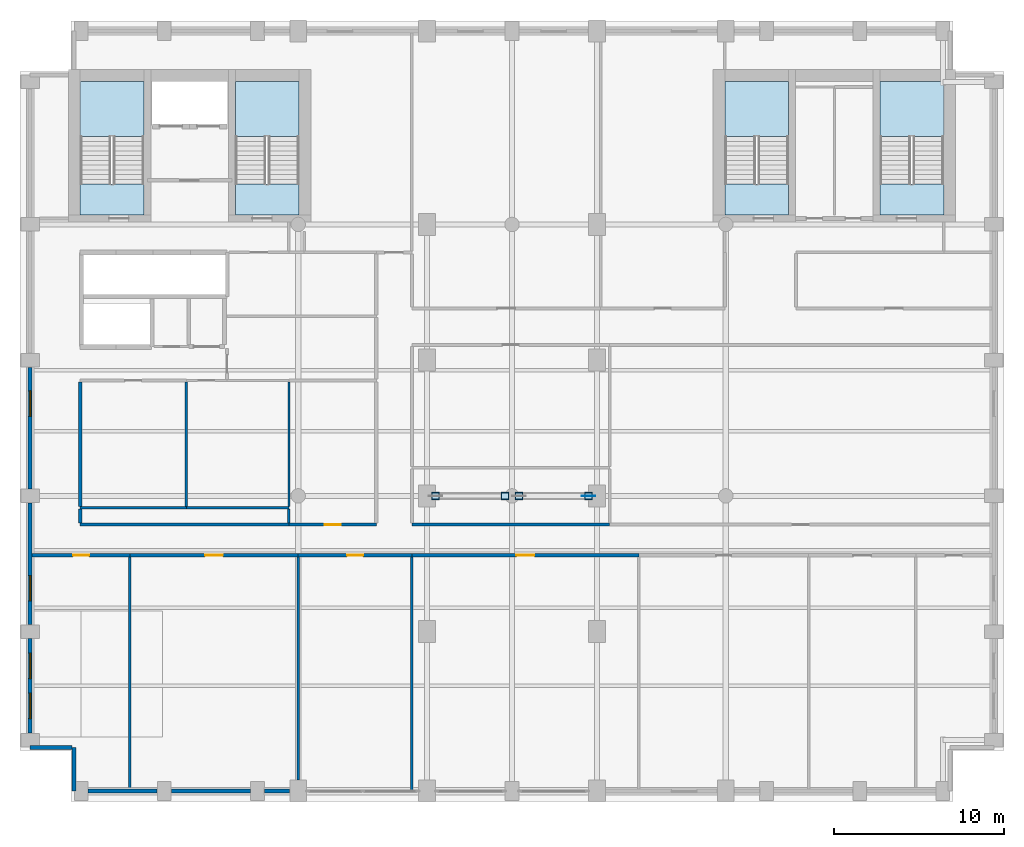
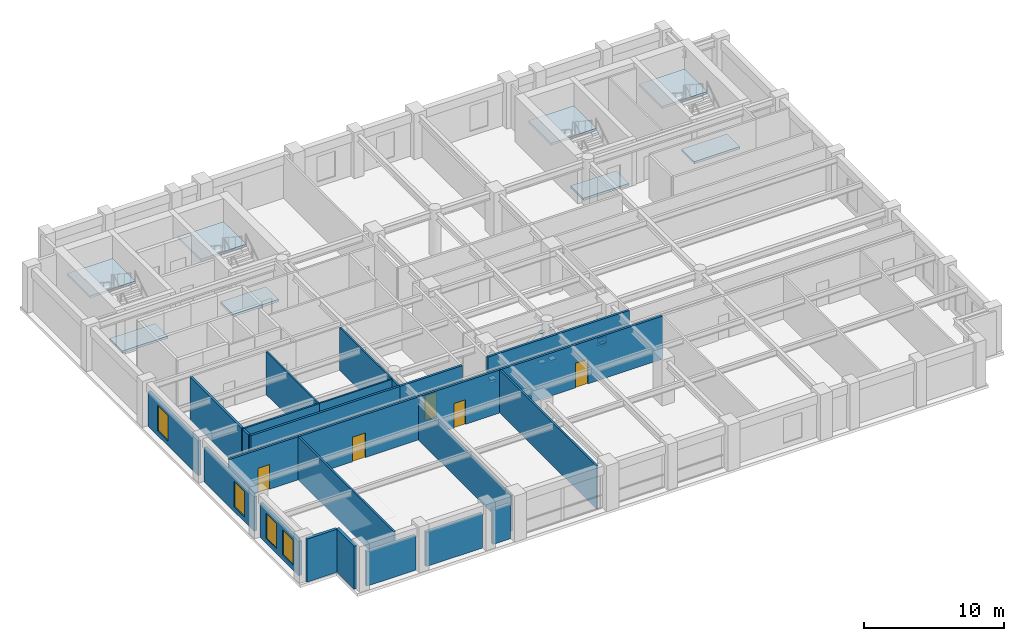
# One storey, part 6 of 13: 25 walls, 9 plates, 8 slabs, 5 doors, 4 windows, 9 openings, 4 elements without a shape of their own.
"""IFC4 building model written with IfcOpenShell, lengths in metres."""

from ifc_helpers import new_model, si_unit, direction, frame, frame_2d, origin, origin_2d, place, context, subcontext, project, spatial, polyline, rectangle, outline, extrude, material, layer, layer_set, type_object, element, fill, aggregate, save


model = new_model("IFC4")

# Units and contexts
model_context = context("Model", 3, precision=1e-05, world=origin(), true_north=direction((0.0, 1.0)))
body_context = subcontext(model_context, "Body", "Model", "MODEL_VIEW")
ifc_project = project(units=[si_unit("LENGTHUNIT", "METRE"), si_unit("AREAUNIT", "SQUARE_METRE"), si_unit("VOLUMEUNIT", "CUBIC_METRE"), si_unit("PLANEANGLEUNIT", "RADIAN"), si_unit("MASSUNIT", "GRAM", prefix="KILO")], contexts=[model_context])

# Site, building, storey
site_placement = place(None, origin())
site = spatial("IfcSite", under=ifc_project, at=site_placement, CompositionType="ELEMENT")
building_placement = place(site_placement, origin())
building = spatial("IfcBuilding", under=site, at=building_placement, Name="Sulina Concourse Tower", CompositionType="ELEMENT")
storey_placement = place(building_placement, frame((0.0, 0.0, 202.60009765625)))
storey = spatial("IfcBuildingStorey", under=building, at=storey_placement, Name="L49", CompositionType="ELEMENT", Elevation=202.60009765625)

# Plates
ifc_material_1 = material(Name="Steel S355", Category="steel")
ifc_layer_1 = layer(ifc_material_1, 0.028076171875)
ifc_layer_set_1 = layer_set([ifc_layer_1], Name="Steel S355")
plate_type_1 = type_object("IfcPlateType", Name="Medium Hollow Section End-Cap Plate 28mm", PredefinedType="USERDEFINED", material=ifc_layer_set_1)
for number, where, z_axis, x_axis, name in (
    (1, (24.489990234375, 18.0, 0.35595703125), (0.0, 0.0, 1.0), (1.0, 0.0, 0.0), "UBT-CH-1-L49 end cap plate 1"),
    (2, (28.5849609375, 18.0, 0.35595703125), (0.0, 0.0, 1.0), (1.0, 0.0, 0.0), "UBT-CH-1-L49 end cap plate 2"),
    (3, (29.4150390625, 18.0, 0.35595703125), (0.0, 0.0, 1.0), (1.0, 0.0, 0.0), "UBT-CH-2-L49 end cap plate 1"),
    (4, (33.510009765625, 18.0, 0.35595703125), (0.0, 0.0, 1.0), (1.0, 0.0, 0.0), "UBT-CH-2-L49 end cap plate 2"),
):
    element("IfcPlate", number, at=place(storey_placement, frame(where, z_axis=z_axis, x_axis=x_axis)), inside=storey, type_object=plate_type_1, Name=name, ObjectType="CAP_PLATE", PredefinedType="USERDEFINED", context=body_context, shape_type="SweptSolid", body=[
        extrude(rectangle(XDim=0.4599609375, YDim=0.4599609375, at=origin_2d()), origin(), (0.0, 0.0, 1.0), 0.028076171875),
    ])

# Slabs
ifc_material_2 = material(Name="Concrete C50/60", Category="concrete")
ifc_layer_2 = layer(ifc_material_2, 0.199951171875)
ifc_layer_set_2 = layer_set([ifc_layer_2], Name="Concrete C50/60")
slab_type = type_object("IfcSlabType", Name="Primary Core Stair Landing Slab 200mm", PredefinedType="LANDING", material=ifc_layer_set_2)
slab_1_placement = place(storey_placement, frame((0.0, 0.0, -0.2001953125)))
element("IfcSlab", 5, at=slab_1_placement, inside=storey, type_object=slab_type, Name="L49 ST-1 floor landing slab", PredefinedType="LANDING", context=body_context, shape_type="SweptSolid", body=[
    extrude(outline(polyline([(7.31005859375, 34.550048828125), (7.31005859375, 36.375), (3.550048828125, 36.375), (3.550048828125, 34.550048828125), (7.31005859375, 34.550048828125)])), origin(), (0.0, 0.0, 1.0), 0.2001953125),
])
slab_2_placement = place(storey_placement, frame((0.0, 0.0, -0.2001953125)))
element("IfcSlab", 6, at=slab_2_placement, inside=storey, type_object=slab_type, Name="L49 ST-2 floor landing slab", PredefinedType="LANDING", context=body_context, shape_type="SweptSolid", body=[
    extrude(outline(polyline([(16.449951171875, 34.550048828125), (16.449951171875, 36.375), (12.68994140625, 36.375), (12.68994140625, 34.550048828125), (16.449951171875, 34.550048828125)])), origin(), (0.0, 0.0, 1.0), 0.2001953125),
])
slab_3_placement = place(storey_placement, frame((0.0, 0.0, -0.2001953125)))
element("IfcSlab", 7, at=slab_3_placement, inside=storey, type_object=slab_type, Name="L49 ST-3 floor landing slab", PredefinedType="LANDING", context=body_context, shape_type="SweptSolid", body=[
    extrude(outline(polyline([(45.31005859375, 34.550048828125), (45.31005859375, 36.375), (41.550048828125, 36.375), (41.550048828125, 34.550048828125), (45.31005859375, 34.550048828125)])), origin(), (0.0, 0.0, 1.0), 0.2001953125),
])
slab_4_placement = place(storey_placement, frame((0.0, 0.0, -0.2001953125)))
element("IfcSlab", 8, at=slab_4_placement, inside=storey, type_object=slab_type, Name="L49 ST-4 floor landing slab", PredefinedType="LANDING", context=body_context, shape_type="SweptSolid", body=[
    extrude(outline(polyline([(54.449951171875, 34.550048828125), (54.449951171875, 36.375), (50.68994140625, 36.375), (50.68994140625, 34.550048828125), (54.449951171875, 34.550048828125)])), origin(), (0.0, 0.0, 1.0), 0.2001953125),
])

# Stair, slab
ifc_material_3 = material(Name="Concrete C50/60", Category="concrete")
stair_type_1 = type_object("IfcStairType", Name="Primary Core Dog-Leg Exit Stair 1800mm", PredefinedType="HALF_TURN_STAIR", material=ifc_material_3)
stair_1_placement = place(storey_placement, origin())
stair_1 = element("IfcStair", 9, at=stair_1_placement, inside=storey, type_object=stair_type_1, Name="L49 ST-1", PredefinedType="HALF_TURN_STAIR")
slab_5_placement = place(storey_placement, frame((0.0, 0.0, 1.7998046875)))
slab_5 = element("IfcSlab", 10, at=slab_5_placement, type_object=slab_type, Name="ST-1 landing 1", PredefinedType="LANDING", context=body_context, shape_type="SweptSolid", body=[
    extrude(outline(polyline([(7.304931640625, 39.175048828125), (7.304931640625, 42.425048828125), (3.554931640625, 42.425048828125), (3.554931640625, 39.175048828125), (7.304931640625, 39.175048828125)])), origin(), (0.0, 0.0, 1.0), 0.2001953125),
])
aggregate(stair_1, [slab_5])

stair_2_placement = place(storey_placement, origin())
stair_2 = element("IfcStair", 11, at=stair_2_placement, inside=storey, type_object=stair_type_1, Name="L49 ST-2", PredefinedType="HALF_TURN_STAIR")
slab_6_placement = place(storey_placement, frame((0.0, 0.0, 1.7998046875)))
slab_6 = element("IfcSlab", 12, at=slab_6_placement, type_object=slab_type, Name="ST-2 landing 1", PredefinedType="LANDING", context=body_context, shape_type="SweptSolid", body=[
    extrude(outline(polyline([(16.445068359375, 39.175048828125), (16.445068359375, 42.425048828125), (12.695068359375, 42.425048828125), (12.695068359375, 39.175048828125), (16.445068359375, 39.175048828125)])), origin(), (0.0, 0.0, 1.0), 0.2001953125),
])
aggregate(stair_2, [slab_6])

ifc_material_4 = material(Name="Concrete C50/60", Category="concrete")
stair_type_2 = type_object("IfcStairType", Name="Portal & Podium Core Exit Stair 1820mm", PredefinedType="HALF_TURN_STAIR", material=ifc_material_4)
stair_3_placement = place(storey_placement, origin())
stair_3 = element("IfcStair", 13, at=stair_3_placement, inside=storey, type_object=stair_type_2, Name="L49 ST-3", PredefinedType="HALF_TURN_STAIR")
slab_7_placement = place(storey_placement, frame((0.0, 0.0, 1.7998046875)))
slab_7 = element("IfcSlab", 14, at=slab_7_placement, type_object=slab_type, Name="ST-3 landing 1", PredefinedType="LANDING", context=body_context, shape_type="SweptSolid", body=[
    extrude(outline(polyline([(45.304931640625, 39.175048828125), (45.304931640625, 42.425048828125), (41.554931640625, 42.425048828125), (41.554931640625, 39.175048828125), (45.304931640625, 39.175048828125)])), origin(), (0.0, 0.0, 1.0), 0.2001953125),
])
aggregate(stair_3, [slab_7])

stair_4_placement = place(storey_placement, origin())
stair_4 = element("IfcStair", 15, at=stair_4_placement, inside=storey, type_object=stair_type_2, Name="L49 ST-4", PredefinedType="HALF_TURN_STAIR")
slab_8_placement = place(storey_placement, frame((0.0, 0.0, 1.7998046875)))
slab_8 = element("IfcSlab", 16, at=slab_8_placement, type_object=slab_type, Name="ST-4 landing 1", PredefinedType="LANDING", context=body_context, shape_type="SweptSolid", body=[
    extrude(outline(polyline([(54.445068359375, 39.175048828125), (54.445068359375, 42.425048828125), (50.695068359375, 42.425048828125), (50.695068359375, 39.175048828125), (54.445068359375, 39.175048828125)])), origin(), (0.0, 0.0, 1.0), 0.2001953125),
])
aggregate(stair_4, [slab_8])

# Plates
ifc_material_5 = material(Name="Steel S355", Category="steel")
ifc_layer_3 = layer(ifc_material_5, 0.0400390625)
ifc_layer_set_3 = layer_set([ifc_layer_3], Name="Steel S355")
plate_type_2 = type_object("IfcPlateType", Name="Upper Bridge Node Gusset Plate 40mm", PredefinedType="USERDEFINED", material=ifc_layer_set_3)
plate_placement = place(storey_placement, frame((33.510009765625, 18.0, 0.094970703125), z_axis=(0.0, 0.0, 1.0), x_axis=(1.0, 0.0, 0.0)))
element("IfcPlate", 17, at=plate_placement, inside=storey, type_object=plate_type_2, Name="UBT-DG-2-L49 node gusset plate", ObjectType="GUSSET_PLATE", PredefinedType="USERDEFINED", context=body_context, shape_type="SweptSolid", body=[
    extrude(rectangle(XDim=0.800048828125, YDim=0.0400390625, at=origin_2d()), origin(), (0.0, 0.0, 1.0), 0.64990234375),
])
ifc_material_6 = material(Name="Steel S355", Category="steel")
ifc_layer_4 = layer(ifc_material_6, 0.02001953125)
ifc_layer_set_4 = layer_set([ifc_layer_4], Name="Steel S355")
plate_type_3 = type_object("IfcPlateType", Name="Upper Hollow Brace End-Cap Plate 20mm", PredefinedType="USERDEFINED", material=ifc_layer_set_4)
for number, where, z_axis, x_axis, name in (
    (18, (24.489990234375, 18.0, 0.10986328125), (0.0, 0.0, 1.0), (1.0, 0.0, 0.0), "UBT-DG-1-L49 end cap plate 1"),
    (19, (28.5849609375, 18.0, 2.949951171875), (0.0, 0.0, 1.0), (1.0, 0.0, 0.0), "UBT-DG-1-L49 end cap plate 2"),
    (20, (33.510009765625, 18.0, 0.10986328125), (0.0, 0.0, 1.0), (1.0, 0.0, 0.0), "UBT-DG-2-L49 end cap plate 1"),
    (21, (29.4150390625, 18.0, 2.949951171875), (0.0, 0.0, 1.0), (1.0, 0.0, 0.0), "UBT-DG-2-L49 end cap plate 2"),
):
    element("IfcPlate", number, at=place(storey_placement, frame(where, z_axis=z_axis, x_axis=x_axis)), inside=storey, type_object=plate_type_3, Name=name, ObjectType="CAP_PLATE", PredefinedType="USERDEFINED", context=body_context, shape_type="SweptSolid", body=[
        extrude(rectangle(XDim=0.409912109375, YDim=0.360107421875, at=origin_2d()), origin(), (0.0, 0.0, 1.0), 0.02001953125),
    ])

# Walls
ifc_material_7 = material(Name="Precast concrete C50/60", Category="concrete")
ifc_layer_5 = layer(ifc_material_7, 0.239990234375)
ifc_layer_set_5 = layer_set([ifc_layer_5], Name="Precast concrete C50/60")
wall_type_1 = type_object("IfcWallType", Name="Crown Precast Masonry-Frame Facade Wall 240mm", PredefinedType="SOLIDWALL", material=ifc_layer_set_5)
wall_1_placement = place(storey_placement, frame((8.080078125, 0.60009765625, 0.0), z_axis=(0.0, 0.0, 1.0), x_axis=(-1.0, 0.0, 0.0)))
element("IfcWall", 22, at=wall_1_placement, inside=storey, type_object=wall_type_1, Name="L49 exterior precast wall S1", PredefinedType="SOLIDWALL", context=body_context, shape_type="SweptSolid", body=[
    extrude(rectangle(XDim=4.06005859375, YDim=0.239990234375, at=frame_2d((2.030029296875, 0.0))), origin(), (0.0, 0.0, 1.0), 3.0),
])
wall_2_placement = place(storey_placement, frame((13.580078125, 0.60009765625, 0.0), z_axis=(0.0, 0.0, 1.0), x_axis=(-1.0, 0.0, 0.0)))
element("IfcWall", 23, at=wall_2_placement, inside=storey, type_object=wall_type_1, Name="L49 exterior precast wall S2", PredefinedType="SOLIDWALL", context=body_context, shape_type="SweptSolid", body=[
    extrude(rectangle(XDim=4.66015625, YDim=0.239990234375, at=frame_2d((2.330078125, 0.0))), origin(), (0.0, 0.0, 1.0), 3.0),
])
wall_3_placement = place(storey_placement, frame((15.8798828125, 0.60009765625, 0.0), z_axis=(0.0, 0.0, 1.0), x_axis=(-1.0, 0.0, 0.0)))
element("IfcWall", 24, at=wall_3_placement, inside=storey, type_object=wall_type_1, Name="L49 exterior precast wall S3", PredefinedType="SOLIDWALL", context=body_context, shape_type="SweptSolid", body=[
    extrude(rectangle(XDim=1.4599609375, YDim=0.239990234375, at=frame_2d((0.72998046875, 0.0))), origin(), (0.0, 0.0, 1.0), 3.0),
])

# Wall, openings, windows
wall_4_placement = place(storey_placement, frame((0.60009765625, 4.02001953125, 0.0), z_axis=(0.0, 0.0, 1.0), x_axis=(0.0, 1.0, 0.0)))
wall_4 = element("IfcWall", 25, at=wall_4_placement, inside=storey, type_object=wall_type_1, Name="L49 exterior precast wall W1", PredefinedType="SOLIDWALL", context=body_context, shape_type="SweptSolid", body=[
    extrude(rectangle(XDim=5.56005859375, YDim=0.239990234375, at=frame_2d((2.780029296875, 0.0))), origin(), (0.0, 0.0, 1.0), 3.0),
])
opening_1_placement = place(wall_4_placement, frame((0.853271484375, 0.0, 0.419921875)))
opening_1 = element("IfcOpeningElement", 26, at=opening_1_placement, cuts=wall_4, Name="Opening WN-71", PredefinedType="OPENING", context=body_context, shape_type="SweptSolid", body=[
    extrude(rectangle(XDim=1.5, YDim=2.199951171875, at=frame_2d((0.75, 1.10009765625))), frame((0.0, 0.1298828125, 0.0), z_axis=(0.0, -1.0, 0.0), x_axis=(1.0, 0.0, 0.0)), (0.0, 0.0, 1.0), 0.260009765625),
])
opening_2_placement = place(wall_4_placement, frame((3.206787109375, 0.0, 0.419921875)))
opening_2 = element("IfcOpeningElement", 27, at=opening_2_placement, cuts=wall_4, Name="Opening WN-71", PredefinedType="OPENING", context=body_context, shape_type="SweptSolid", body=[
    extrude(rectangle(XDim=1.5, YDim=2.199951171875, at=frame_2d((0.75, 1.10009765625))), frame((0.0, 0.1298828125, 0.0), z_axis=(0.0, -1.0, 0.0), x_axis=(1.0, 0.0, 0.0)), (0.0, 0.0, 1.0), 0.260009765625),
])
ifc_material_8 = material(Name="Low-E solar double glazing in bronze aluminium", Category="aluminium")
window_type = type_object("IfcWindowType", Name="Punched Masonry-Frame Window 1500x2200", PartitioningType="SINGLE_PANEL", PredefinedType="WINDOW", material=ifc_material_8)
window_1_placement = place(opening_1_placement, origin())
window_1 = element("IfcWindow", 28, at=window_1_placement, inside=storey, type_object=window_type, Name="L49 punched window W1-1", OverallHeight=2.199951171875, OverallWidth=1.5, PartitioningType="SINGLE_PANEL", PredefinedType="WINDOW", context=body_context, shape_type="SweptSolid", body=[
    extrude(rectangle(XDim=1.5, YDim=2.199951171875, at=frame_2d((0.75, 1.10009765625))), frame((0.0, 0.030029296875, 0.0), z_axis=(0.0, -1.0, 0.0), x_axis=(1.0, 0.0, 0.0)), (0.0, 0.0, 1.0), 0.06005859375),
])
fill(opening_1, window_1)
window_2_placement = place(opening_2_placement, origin())
window_2 = element("IfcWindow", 29, at=window_2_placement, inside=storey, type_object=window_type, Name="L49 punched window W1-2", OverallHeight=2.199951171875, OverallWidth=1.5, PartitioningType="SINGLE_PANEL", PredefinedType="WINDOW", context=body_context, shape_type="SweptSolid", body=[
    extrude(rectangle(XDim=1.5, YDim=2.199951171875, at=frame_2d((0.75, 1.10009765625))), frame((0.0, 0.030029296875, 0.0), z_axis=(0.0, -1.0, 0.0), x_axis=(1.0, 0.0, 0.0)), (0.0, 0.0, 1.0), 0.06005859375),
])
fill(opening_2, window_2)

# Wall, opening, window
wall_5_placement = place(storey_placement, frame((0.60009765625, 10.419921875, 0.0), z_axis=(0.0, 0.0, 1.0), x_axis=(0.0, 1.0, 0.0)))
wall_5 = element("IfcWall", 30, at=wall_5_placement, inside=storey, type_object=wall_type_1, Name="L49 exterior precast wall W2", PredefinedType="SOLIDWALL", context=body_context, shape_type="SweptSolid", body=[
    extrude(rectangle(XDim=7.16015625, YDim=0.239990234375, at=frame_2d((3.580078125, 0.0))), origin(), (0.0, 0.0, 1.0), 3.0),
])
opening_3_placement = place(wall_5_placement, frame((1.38671875, 0.0, 0.419921875)))
opening_3 = element("IfcOpeningElement", 31, at=opening_3_placement, cuts=wall_5, Name="Opening WN-71", PredefinedType="OPENING", context=body_context, shape_type="SweptSolid", body=[
    extrude(rectangle(XDim=1.5, YDim=2.199951171875, at=frame_2d((0.75, 1.10009765625))), frame((0.0, 0.1298828125, 0.0), z_axis=(0.0, -1.0, 0.0), x_axis=(1.0, 0.0, 0.0)), (0.0, 0.0, 1.0), 0.260009765625),
])
window_3_placement = place(opening_3_placement, origin())
window_3 = element("IfcWindow", 32, at=window_3_placement, inside=storey, type_object=window_type, Name="L49 punched window W2-1", OverallHeight=2.199951171875, OverallWidth=1.5, PartitioningType="SINGLE_PANEL", PredefinedType="WINDOW", context=body_context, shape_type="SweptSolid", body=[
    extrude(rectangle(XDim=1.5, YDim=2.199951171875, at=frame_2d((0.75, 1.10009765625))), frame((0.0, 0.030029296875, 0.0), z_axis=(0.0, -1.0, 0.0), x_axis=(1.0, 0.0, 0.0)), (0.0, 0.0, 1.0), 0.06005859375),
])
fill(opening_3, window_3)

wall_6_placement = place(storey_placement, frame((0.60009765625, 18.419921875, 0.0), z_axis=(0.0, 0.0, 1.0), x_axis=(0.0, 1.0, 0.0)))
wall_6 = element("IfcWall", 33, at=wall_6_placement, inside=storey, type_object=wall_type_1, Name="L49 exterior precast wall W3", PredefinedType="SOLIDWALL", context=body_context, shape_type="SweptSolid", body=[
    extrude(rectangle(XDim=7.16015625, YDim=0.239990234375, at=frame_2d((3.580078125, 0.0))), origin(), (0.0, 0.0, 1.0), 3.0),
])
opening_4_placement = place(wall_6_placement, frame((4.273193359375, 0.0, 0.419921875)))
opening_4 = element("IfcOpeningElement", 34, at=opening_4_placement, cuts=wall_6, Name="Opening WN-71", PredefinedType="OPENING", context=body_context, shape_type="SweptSolid", body=[
    extrude(rectangle(XDim=1.5, YDim=2.199951171875, at=frame_2d((0.75, 1.10009765625))), frame((0.0, 0.1298828125, 0.0), z_axis=(0.0, -1.0, 0.0), x_axis=(1.0, 0.0, 0.0)), (0.0, 0.0, 1.0), 0.260009765625),
])
window_4_placement = place(opening_4_placement, origin())
window_4 = element("IfcWindow", 35, at=window_4_placement, inside=storey, type_object=window_type, Name="L49 punched window W3-1", OverallHeight=2.199951171875, OverallWidth=1.5, PartitioningType="SINGLE_PANEL", PredefinedType="WINDOW", context=body_context, shape_type="SweptSolid", body=[
    extrude(rectangle(XDim=1.5, YDim=2.199951171875, at=frame_2d((0.75, 1.10009765625))), frame((0.0, 0.030029296875, 0.0), z_axis=(0.0, -1.0, 0.0), x_axis=(1.0, 0.0, 0.0)), (0.0, 0.0, 1.0), 0.06005859375),
])
fill(opening_4, window_4)

# Walls
wall_7_placement = place(storey_placement, frame((3.179931640625, 0.60009765625, 0.0), z_axis=(0.0, 0.0, 1.0), x_axis=(0.0, 1.0, 0.0)))
element("IfcWall", 36, at=wall_7_placement, inside=storey, type_object=wall_type_1, Name="L49 exterior precast wall CSW1", PredefinedType="SOLIDWALL", context=body_context, shape_type="SweptSolid", body=[
    extrude(rectangle(XDim=2.579833984375, YDim=0.239990234375, at=frame_2d((1.2900390625, 0.0))), origin(), (0.0, 0.0, 1.0), 3.75),
])
wall_8_placement = place(storey_placement, frame((3.054931640625, 3.179931640625, 0.0), z_axis=(0.0, 0.0, 1.0), x_axis=(-1.0, 0.0, 0.0)))
element("IfcWall", 37, at=wall_8_placement, inside=storey, type_object=wall_type_1, Name="L49 exterior precast wall CSW2", PredefinedType="SOLIDWALL", context=body_context, shape_type="SweptSolid", body=[
    extrude(rectangle(XDim=2.454833984375, YDim=0.239990234375, at=frame_2d((1.2275390625, 0.0))), origin(), (0.0, 0.0, 1.0), 3.75),
])
ifc_material_9 = material(Name="Gypsum board on steel stud", Category="steel")
ifc_layer_6 = layer(ifc_material_9, 0.14990234375)
ifc_layer_set_6 = layer_set([ifc_layer_6], Name="Gypsum board on steel stud")
wall_type_2 = type_object("IfcWallType", Name="Inter-Tenancy Acoustic Partition 150mm", PredefinedType="PARTITIONING", material=ifc_layer_set_6)
wall_9_placement = place(storey_placement, frame((3.550048828125, 17.300048828125, 0.0), z_axis=(0.0, 0.0, 1.0), x_axis=(1.0, 0.0, 0.0)))
element("IfcWall", 38, at=wall_9_placement, inside=storey, type_object=wall_type_2, Name="L49 interior partition 012", PredefinedType="PARTITIONING", context=body_context, shape_type="SweptSolid", body=[
    extrude(rectangle(XDim=6.25, YDim=0.14990234375, at=frame_2d((3.125, 0.0))), origin(), (0.0, 0.0, 1.0), 3.75),
])
wall_10_placement = place(storey_placement, frame((6.47998046875, 0.719970703125, 0.0), z_axis=(0.0, 0.0, 1.0), x_axis=(0.0, 1.0, 0.0)))
element("IfcWall", 39, at=wall_10_placement, inside=storey, type_object=wall_type_2, Name="L49 interior partition 038", PredefinedType="PARTITIONING", context=body_context, shape_type="SweptSolid", body=[
    extrude(rectangle(XDim=13.68994140625, YDim=0.14990234375, at=frame_2d((6.844970703125, 0.0))), origin(), (0.0, 0.0, 1.0), 3.75),
])
wall_11_placement = place(storey_placement, frame((15.85009765625, 16.389892578125, 0.0), z_axis=(0.0, 0.0, 1.0), x_axis=(0.0, 1.0, 0.0)))
element("IfcWall", 40, at=wall_11_placement, inside=storey, type_object=wall_type_2, Name="L49 interior partition 043", PredefinedType="PARTITIONING", context=body_context, shape_type="SweptSolid", body=[
    extrude(rectangle(XDim=0.84765625, YDim=0.14990234375, at=frame_2d((0.423828125, 0.0))), origin(), (0.0, 0.0, 1.0), 3.75),
])
wall_12_placement = place(storey_placement, frame((16.39990234375, 1.25, 0.0), z_axis=(0.0, 0.0, 1.0), x_axis=(0.0, 1.0, 0.0)))
element("IfcWall", 41, at=wall_12_placement, inside=storey, type_object=wall_type_2, Name="L49 interior partition 046", PredefinedType="PARTITIONING", context=body_context, shape_type="SweptSolid", body=[
    extrude(rectangle(XDim=13.159912109375, YDim=0.14990234375, at=frame_2d((6.580078125, 0.0))), origin(), (0.0, 0.0, 1.0), 3.14501953125),
])
wall_13_placement = place(storey_placement, frame((23.10009765625, 0.60009765625, 0.0), z_axis=(0.0, 0.0, 1.0), x_axis=(0.0, 1.0, 0.0)))
element("IfcWall", 42, at=wall_13_placement, inside=storey, type_object=wall_type_2, Name="L49 interior partition 051", PredefinedType="PARTITIONING", context=body_context, shape_type="SweptSolid", body=[
    extrude(rectangle(XDim=13.809814453125, YDim=0.14990234375, at=frame_2d((6.90478515625, 0.0))), origin(), (0.0, 0.0, 1.0), 3.75),
])

# Wall, opening, door
ifc_material_10 = material(Name="Gypsum board on steel stud", Category="steel")
ifc_layer_7 = layer(ifc_material_10, 0.179931640625)
ifc_layer_set_7 = layer_set([ifc_layer_7], Name="Gypsum board on steel stud")
wall_type_3 = type_object("IfcWallType", Name="Protected Corridor & Riser Partition 180mm", PredefinedType="PARTITIONING", material=ifc_layer_set_7)
wall_14_placement = place(storey_placement, frame((0.719970703125, 14.5, 0.0), z_axis=(0.0, 0.0, 1.0), x_axis=(1.0, 0.0, 0.0)))
wall_14 = element("IfcWall", 43, at=wall_14_placement, inside=storey, type_object=wall_type_3, Name="L49 interior partition 001", PredefinedType="PARTITIONING", context=body_context, shape_type="SweptSolid", body=[
    extrude(rectangle(XDim=5.760009765625, YDim=0.179931640625, at=frame_2d((2.8798828125, 0.0))), origin(), (0.0, 0.0, 1.0), 3.75),
])
opening_5_placement = place(wall_14_placement, frame((2.405029296875, 0.0, 0.0)))
opening_5 = element("IfcOpeningElement", 44, at=opening_5_placement, cuts=wall_14, Name="Opening DR-19", PredefinedType="OPENING", context=body_context, shape_type="SweptSolid", body=[
    extrude(rectangle(XDim=0.949951171875, YDim=2.14990234375, at=frame_2d((0.47509765625, 1.074951171875))), frame((0.0, 0.099853515625, 0.0), z_axis=(0.0, -1.0, 0.0), x_axis=(1.0, 0.0, 0.0)), (0.0, 0.0, 1.0), 0.199951171875),
])
ifc_material_11 = material(Name="Oak-veneered acoustic timber leaf", Category="wood")
ifc_layer_8 = layer(ifc_material_11, 0.050048828125)
ifc_layer_set_8 = layer_set([ifc_layer_8], Name="Oak-veneered acoustic timber leaf")
door_type_1 = type_object("IfcDoorType", Name="Cellular Office & Meeting Door 950x2150", OperationType="NOTDEFINED", PredefinedType="DOOR", material=ifc_layer_set_8)
door_1_placement = place(opening_5_placement, origin())
door_1 = element("IfcDoor", 45, at=door_1_placement, inside=storey, type_object=door_type_1, Name="L49 interior door L49-S01", OperationType="SINGLE_SWING_RIGHT", OverallHeight=2.14990234375, OverallWidth=0.949951171875, PredefinedType="DOOR", context=body_context, shape_type="SweptSolid", body=[
    extrude(rectangle(XDim=0.949951171875, YDim=2.14990234375, at=frame_2d((0.47509765625, 1.074951171875))), frame((0.0, 0.02490234375, 0.0), z_axis=(0.0, -1.0, 0.0), x_axis=(1.0, 0.0, 0.0)), (0.0, 0.0, 1.0), 0.050048828125),
])
fill(opening_5, door_1)

wall_15_placement = place(storey_placement, frame((6.47998046875, 14.5, 0.0), z_axis=(0.0, 0.0, 1.0), x_axis=(1.0, 0.0, 0.0)))
wall_15 = element("IfcWall", 46, at=wall_15_placement, inside=storey, type_object=wall_type_3, Name="L49 interior partition 002", PredefinedType="PARTITIONING", context=body_context, shape_type="SweptSolid", body=[
    extrude(rectangle(XDim=9.919921875, YDim=0.179931640625, at=frame_2d((4.9599609375, 0.0))), origin(), (0.0, 0.0, 1.0), 3.75),
])
opening_6_placement = place(wall_15_placement, frame((4.43505859375, 0.0, 0.0)))
opening_6 = element("IfcOpeningElement", 47, at=opening_6_placement, cuts=wall_15, Name="Opening DR-37", PredefinedType="OPENING", context=body_context, shape_type="SweptSolid", body=[
    extrude(rectangle(XDim=1.050048828125, YDim=2.14990234375, at=frame_2d((0.52490234375, 1.074951171875))), frame((0.0, 0.099853515625, 0.0), z_axis=(0.0, -1.0, 0.0), x_axis=(1.0, 0.0, 0.0)), (0.0, 0.0, 1.0), 0.199951171875),
])
ifc_material_12 = material(Name="Oak-veneered fire door leaf")
ifc_layer_9 = layer(ifc_material_12, 0.050048828125)
ifc_layer_set_9 = layer_set([ifc_layer_9], Name="Oak-veneered fire door leaf")
door_type_2 = type_object("IfcDoorType", Name="Tenant Suite Entrance Fire Door 1050x2150", OperationType="NOTDEFINED", PredefinedType="DOOR", material=ifc_layer_set_9)
door_2_placement = place(opening_6_placement, origin())
door_2 = element("IfcDoor", 48, at=door_2_placement, inside=storey, type_object=door_type_2, Name="L49 interior door L49-S02", OperationType="SINGLE_SWING_LEFT", OverallHeight=2.14990234375, OverallWidth=1.050048828125, PredefinedType="DOOR", context=body_context, shape_type="SweptSolid", body=[
    extrude(rectangle(XDim=1.050048828125, YDim=2.14990234375, at=frame_2d((0.52490234375, 1.074951171875))), frame((0.0, 0.02490234375, 0.0), z_axis=(0.0, -1.0, 0.0), x_axis=(1.0, 0.0, 0.0)), (0.0, 0.0, 1.0), 0.050048828125),
])
fill(opening_6, door_2)

wall_16_placement = place(storey_placement, frame((16.39990234375, 14.5, 0.0), z_axis=(0.0, 0.0, 1.0), x_axis=(1.0, 0.0, 0.0)))
wall_16 = element("IfcWall", 49, at=wall_16_placement, inside=storey, type_object=wall_type_3, Name="L49 interior partition 003", PredefinedType="PARTITIONING", context=body_context, shape_type="SweptSolid", body=[
    extrude(rectangle(XDim=6.7001953125, YDim=0.179931640625, at=frame_2d((3.35009765625, 0.0))), origin(), (0.0, 0.0, 1.0), 3.75),
])
opening_7_placement = place(wall_16_placement, frame((2.875, 0.0, 0.0)))
opening_7 = element("IfcOpeningElement", 50, at=opening_7_placement, cuts=wall_16, Name="Opening DR-19", PredefinedType="OPENING", context=body_context, shape_type="SweptSolid", body=[
    extrude(rectangle(XDim=0.949951171875, YDim=2.14990234375, at=frame_2d((0.47509765625, 1.074951171875))), frame((0.0, 0.099853515625, 0.0), z_axis=(0.0, -1.0, 0.0), x_axis=(1.0, 0.0, 0.0)), (0.0, 0.0, 1.0), 0.199951171875),
])
door_3_placement = place(opening_7_placement, origin())
door_3 = element("IfcDoor", 51, at=door_3_placement, inside=storey, type_object=door_type_1, Name="L49 interior door L49-S03", OperationType="SINGLE_SWING_RIGHT", OverallHeight=2.14990234375, OverallWidth=0.949951171875, PredefinedType="DOOR", context=body_context, shape_type="SweptSolid", body=[
    extrude(rectangle(XDim=0.949951171875, YDim=2.14990234375, at=frame_2d((0.47509765625, 1.074951171875))), frame((0.0, 0.02490234375, 0.0), z_axis=(0.0, -1.0, 0.0), x_axis=(1.0, 0.0, 0.0)), (0.0, 0.0, 1.0), 0.050048828125),
])
fill(opening_7, door_3)

wall_17_placement = place(storey_placement, frame((23.10009765625, 14.5, 0.0), z_axis=(0.0, 0.0, 1.0), x_axis=(1.0, 0.0, 0.0)))
wall_17 = element("IfcWall", 52, at=wall_17_placement, inside=storey, type_object=wall_type_3, Name="L49 interior partition 004", PredefinedType="PARTITIONING", context=body_context, shape_type="SweptSolid", body=[
    extrude(rectangle(XDim=13.3798828125, YDim=0.179931640625, at=frame_2d((6.68994140625, 0.0))), origin(), (0.0, 0.0, 1.0), 3.75),
])
opening_8_placement = place(wall_17_placement, frame((6.1650390625, 0.0, 0.0)))
opening_8 = element("IfcOpeningElement", 53, at=opening_8_placement, cuts=wall_17, Name="Opening DR-37", PredefinedType="OPENING", context=body_context, shape_type="SweptSolid", body=[
    extrude(rectangle(XDim=1.050048828125, YDim=2.14990234375, at=frame_2d((0.52490234375, 1.074951171875))), frame((0.0, 0.099853515625, 0.0), z_axis=(0.0, -1.0, 0.0), x_axis=(1.0, 0.0, 0.0)), (0.0, 0.0, 1.0), 0.199951171875),
])
door_4_placement = place(opening_8_placement, origin())
door_4 = element("IfcDoor", 54, at=door_4_placement, inside=storey, type_object=door_type_2, Name="L49 interior door L49-S04", OperationType="SINGLE_SWING_LEFT", OverallHeight=2.14990234375, OverallWidth=1.050048828125, PredefinedType="DOOR", context=body_context, shape_type="SweptSolid", body=[
    extrude(rectangle(XDim=1.050048828125, YDim=2.14990234375, at=frame_2d((0.52490234375, 1.074951171875))), frame((0.0, 0.02490234375, 0.0), z_axis=(0.0, -1.0, 0.0), x_axis=(1.0, 0.0, 0.0)), (0.0, 0.0, 1.0), 0.050048828125),
])
fill(opening_8, door_4)

# Wall
wall_18_placement = place(storey_placement, frame((3.550048828125, 16.300048828125, 0.0), z_axis=(0.0, 0.0, 1.0), x_axis=(1.0, 0.0, 0.0)))
element("IfcWall", 55, at=wall_18_placement, inside=storey, type_object=wall_type_3, Name="L49 interior partition 008", PredefinedType="PARTITIONING", context=body_context, shape_type="SweptSolid", body=[
    extrude(rectangle(XDim=12.300048828125, YDim=0.179931640625, at=frame_2d((6.14990234375, 0.0))), origin(), (0.0, 0.0, 1.0), 3.75),
])

# Wall, opening, door
wall_19_placement = place(storey_placement, frame((15.85009765625, 16.300048828125, 0.0), z_axis=(0.0, 0.0, 1.0), x_axis=(1.0, 0.0, 0.0)))
wall_19 = element("IfcWall", 56, at=wall_19_placement, inside=storey, type_object=wall_type_3, Name="L49 interior partition 009", PredefinedType="PARTITIONING", context=body_context, shape_type="SweptSolid", body=[
    extrude(rectangle(XDim=5.14990234375, YDim=0.179931640625, at=frame_2d((2.574951171875, 0.0))), origin(), (0.0, 0.0, 1.0), 3.75),
])
opening_9_placement = place(wall_19_placement, frame((2.10009765625, 0.0, 0.0)))
opening_9 = element("IfcOpeningElement", 57, at=opening_9_placement, cuts=wall_19, Name="Opening DR-19", PredefinedType="OPENING", context=body_context, shape_type="SweptSolid", body=[
    extrude(rectangle(XDim=0.949951171875, YDim=2.14990234375, at=frame_2d((0.47509765625, 1.074951171875))), frame((0.0, 0.099853515625, 0.0), z_axis=(0.0, -1.0, 0.0), x_axis=(1.0, 0.0, 0.0)), (0.0, 0.0, 1.0), 0.199951171875),
])
door_5_placement = place(opening_9_placement, origin())
door_5 = element("IfcDoor", 58, at=door_5_placement, inside=storey, type_object=door_type_1, Name="L49 interior door L49-NZ-PKW", OperationType="SINGLE_SWING_LEFT", OverallHeight=2.14990234375, OverallWidth=0.949951171875, PredefinedType="DOOR", context=body_context, shape_type="SweptSolid", body=[
    extrude(rectangle(XDim=0.949951171875, YDim=2.14990234375, at=frame_2d((0.47509765625, 1.074951171875))), frame((0.0, 0.02490234375, 0.0), z_axis=(0.0, -1.0, 0.0), x_axis=(1.0, 0.0, 0.0)), (0.0, 0.0, 1.0), 0.050048828125),
])
fill(opening_9, door_5)

# Walls
wall_20_placement = place(storey_placement, frame((23.10009765625, 16.300048828125, 0.0), z_axis=(0.0, 0.0, 1.0), x_axis=(1.0, 0.0, 0.0)))
element("IfcWall", 59, at=wall_20_placement, inside=storey, type_object=wall_type_3, Name="L49 interior partition 010", PredefinedType="PARTITIONING", context=body_context, shape_type="SweptSolid", body=[
    extrude(rectangle(XDim=11.64990234375, YDim=0.179931640625, at=frame_2d((5.824951171875, 0.0))), origin(), (0.0, 0.0, 1.0), 3.75),
])
wall_21_placement = place(storey_placement, frame((3.550048828125, 16.389892578125, 0.0), z_axis=(0.0, 0.0, 1.0), x_axis=(0.0, 1.0, 0.0)))
element("IfcWall", 60, at=wall_21_placement, inside=storey, type_object=wall_type_3, Name="L49 interior partition 036", PredefinedType="PARTITIONING", context=body_context, shape_type="SweptSolid", body=[
    extrude(rectangle(XDim=0.835205078125, YDim=0.179931640625, at=frame_2d((0.41748046875, 0.0))), origin(), (0.0, 0.0, 1.0), 3.75),
])
wall_22_placement = place(storey_placement, frame((3.550048828125, 17.375, 0.0), z_axis=(0.0, 0.0, 1.0), x_axis=(0.0, 1.0, 0.0)))
element("IfcWall", 61, at=wall_22_placement, inside=storey, type_object=wall_type_3, Name="L49 interior partition 037", PredefinedType="PARTITIONING", context=body_context, shape_type="SweptSolid", body=[
    extrude(rectangle(XDim=7.35009765625, YDim=0.179931640625, at=frame_2d((3.675048828125, 0.0))), origin(), (0.0, 0.0, 1.0), 3.75),
])
ifc_material_13 = material(Name="Gypsum board on steel stud", Category="steel")
ifc_layer_10 = layer(ifc_material_13, 0.125)
ifc_layer_set_10 = layer_set([ifc_layer_10], Name="Gypsum board on steel stud")
wall_type_4 = type_object("IfcWallType", Name="Wet-Area Moisture-Resistant Partition 125mm", PredefinedType="PARTITIONING", material=ifc_layer_set_10)
wall_23_placement = place(storey_placement, frame((9.800048828125, 17.300048828125, 0.0), z_axis=(0.0, 0.0, 1.0), x_axis=(1.0, 0.0, 0.0)))
element("IfcWall", 62, at=wall_23_placement, inside=storey, type_object=wall_type_4, Name="L49 interior partition 013", PredefinedType="PARTITIONING", context=body_context, shape_type="SweptSolid", body=[
    extrude(rectangle(XDim=6.050048828125, YDim=0.125, at=frame_2d((3.02490234375, 0.0))), origin(), (0.0, 0.0, 1.0), 3.75),
])
wall_24_placement = place(storey_placement, frame((9.800048828125, 17.375, 0.0), z_axis=(0.0, 0.0, 1.0), x_axis=(0.0, 1.0, 0.0)))
element("IfcWall", 63, at=wall_24_placement, inside=storey, type_object=wall_type_4, Name="L49 interior partition 039", PredefinedType="PARTITIONING", context=body_context, shape_type="SweptSolid", body=[
    extrude(rectangle(XDim=7.35009765625, YDim=0.125, at=frame_2d((3.675048828125, 0.0))), origin(), (0.0, 0.0, 1.0), 3.75),
])
wall_25_placement = place(storey_placement, frame((15.85009765625, 17.362548828125, 0.0), z_axis=(0.0, 0.0, 1.0), x_axis=(0.0, 1.0, 0.0)))
element("IfcWall", 64, at=wall_25_placement, inside=storey, type_object=wall_type_4, Name="L49 interior partition 044", PredefinedType="PARTITIONING", context=body_context, shape_type="SweptSolid", body=[
    extrude(rectangle(XDim=7.362548828125, YDim=0.125, at=frame_2d((3.68115234375, 0.0))), origin(), (0.0, 0.0, 1.0), 3.75),
])

save(model, "model.ifc")
